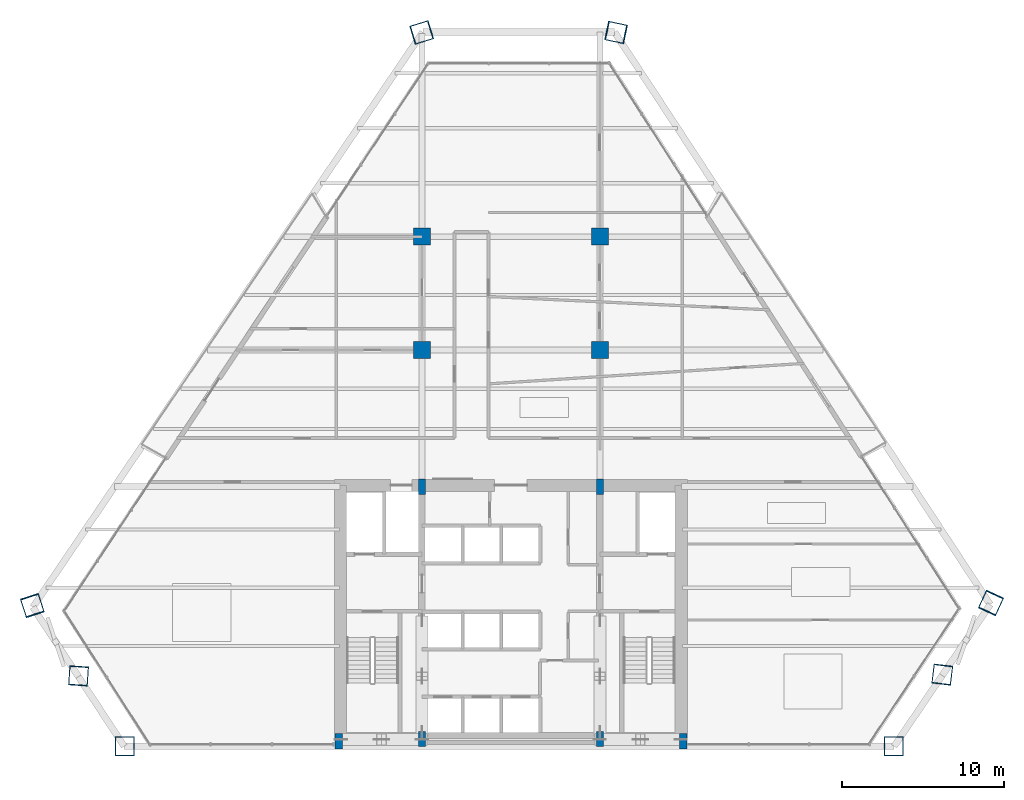
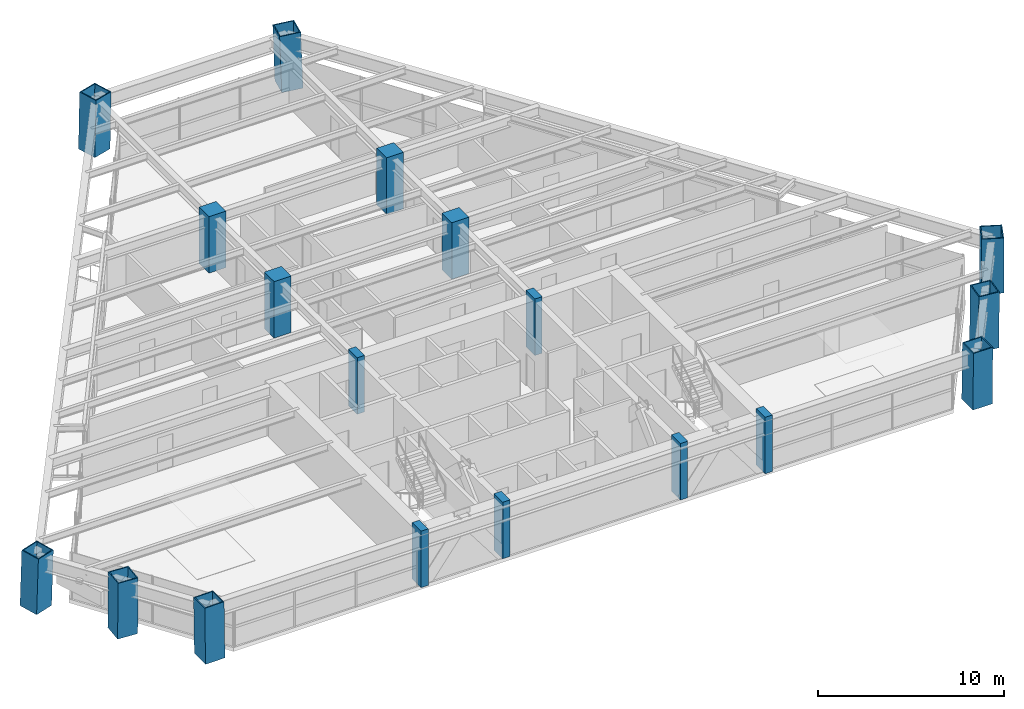
# One storey, part 1 of 14: 18 columns.
"""IFC4 building model written with IfcOpenShell, lengths in metres."""

from ifc_helpers import new_model, si_unit, direction, frame, origin, origin_2d, place, context, subcontext, project, spatial, rectangle, hollow_rectangle, extrude, source, transform, mapped, material, material_profile, profile_set, type_object, type_shapes, element, save


model = new_model("IFC4")

# Units and contexts
model_context = context("Model", 3, precision=1e-05, world=origin(), true_north=direction((0.0, 1.0)))
body_context = subcontext(model_context, "Body", "Model", "MODEL_VIEW")
ifc_project = project(units=[si_unit("LENGTHUNIT", "METRE"), si_unit("AREAUNIT", "SQUARE_METRE"), si_unit("VOLUMEUNIT", "CUBIC_METRE"), si_unit("PLANEANGLEUNIT", "RADIAN"), si_unit("MASSUNIT", "GRAM", prefix="KILO")], contexts=[model_context])

# Site, building, storey
site_placement = place(None, origin())
site = spatial("IfcSite", under=ifc_project, at=site_placement, CompositionType="ELEMENT")
building_placement = place(site_placement, origin())
building = spatial("IfcBuilding", under=site, at=building_placement, Name="Varnakhor Terracotta Tower", CompositionType="ELEMENT")
storey_placement = place(building_placement, frame((0.0, 0.0, 113.60009765625)))
storey = spatial("IfcBuildingStorey", under=building, at=storey_placement, Name="L28", CompositionType="ELEMENT", Elevation=113.60009765625)

# Columns
ifc_material_1 = material(Name="Concrete C50/60", Category="concrete")
ifc_material_profile_1 = material_profile(ifc_material_1, rectangle(XDim=0.449951171875, YDim=0.949951171875, at=origin_2d()), Name="RC PILASTER 950x450")
ifc_profile_set_1 = profile_set([ifc_material_profile_1], Name="Concrete C50/60")
column_type_1 = type_object("IfcColumnType", Name="COL-PIL-950x450", PredefinedType="PILASTER", material=ifc_profile_set_1)
shared_shape_1 = source(origin(), body_context, "Body", "SweptSolid", [
    extrude(rectangle(XDim=0.449951171875, YDim=0.949951171875, at=origin_2d()), origin(), (0.0, 0.0, 1.0), 3.699951171875),
])
for number, where, z_axis, x_axis, name in (
    (1, (-10.64990234375, 0.300048828125, 0.0), (0.0, 0.0, 1.0), (1.0, 0.0, 0.0), "L28 Core Pilaster CP1"),
    (2, (-5.5, 0.449951171875, 0.0), (0.0, 0.0, 1.0), (1.0, 0.0, 0.0), "L28 Core Pilaster CP2"),
    (3, (5.5, 0.449951171875, 0.0), (0.0, 0.0, 1.0), (1.0, 0.0, 0.0), "L28 Core Pilaster CP3"),
    (4, (10.64990234375, 0.300048828125, 0.0), (0.0, 0.0, 1.0), (1.0, 0.0, 0.0), "L28 Core Pilaster CP4"),
    (5, (-5.5, 16.050048828125, 0.0), (0.0, 0.0, 1.0), (1.0, 0.0, 0.0), "L28 Core Pilaster CP5"),
    (6, (5.5, 16.050048828125, 0.0), (0.0, 0.0, 1.0), (1.0, 0.0, 0.0), "L28 Core Pilaster CP6"),
):
    element("IfcColumn", number, at=place(storey_placement, frame(where, z_axis=z_axis, x_axis=x_axis)), inside=storey, type_object=column_type_1, Name=name, PredefinedType="PILASTER", context=body_context, shape_type="MappedRepresentation", body=[
        mapped(shared_shape_1, transform((0.0, 0.0, 0.0), scale=1.0)),
    ])
ifc_material_2 = material(Name="Concrete C60/75", Category="concrete")
ifc_material_profile_2 = material_profile(ifc_material_2, rectangle(XDim=1.050048828125, YDim=1.050048828125, at=origin_2d()), Name="RC 1050x1050")
ifc_profile_set_2 = profile_set([ifc_material_profile_2], Name="Concrete C60/75")
column_type_2 = type_object("IfcColumnType", Name="COL-RC-1050", PredefinedType="COLUMN", material=ifc_profile_set_2)
shared_shape_2 = source(origin(), body_context, "Body", "SweptSolid", [
    extrude(rectangle(XDim=1.050048828125, YDim=1.050048828125, at=origin_2d()), origin(), (0.0, 0.0, 1.0), 3.699951171875),
])
for number, where, z_axis, x_axis, name in (
    (7, (-5.5, 24.5, 0.0), (0.0, 0.0, 1.0), (1.0, 0.0, 0.0), "L28 Interior Tower Column IC1"),
    (8, (5.5, 24.5, 0.0), (0.0, 0.0, 1.0), (1.0, 0.0, 0.0), "L28 Interior Tower Column IC2"),
    (9, (-5.5, 31.5, 0.0), (0.0, 0.0, 1.0), (1.0, 0.0, 0.0), "L28 Interior Tower Column IC3"),
    (10, (5.5, 31.5, 0.0), (0.0, 0.0, 1.0), (1.0, 0.0, 0.0), "L28 Interior Tower Column IC4"),
):
    element("IfcColumn", number, at=place(storey_placement, frame(where, z_axis=z_axis, x_axis=x_axis)), inside=storey, type_object=column_type_2, Name=name, PredefinedType="COLUMN", context=body_context, shape_type="MappedRepresentation", body=[
        mapped(shared_shape_2, transform((0.0, 0.0, 0.0), scale=1.0)),
    ])
ifc_material_3 = material(Name="Steel S460", Category="steel")
ifc_material_profile_3 = material_profile(ifc_material_3, hollow_rectangle(XDim=1.199951171875, YDim=1.199951171875, WallThickness=0.06005859375, at=origin_2d()), Name="BOX 1200x1200x60")
ifc_profile_set_3 = profile_set([ifc_material_profile_3], Name="Steel S460")
column_type_3 = type_object("IfcColumnType", Name="COL-MEGA-1200", PredefinedType="COLUMN", material=ifc_profile_set_3)
shared_shape_3 = source(origin(), body_context, "Body", "SweptSolid", [
    extrude(hollow_rectangle(XDim=1.199951171875, YDim=1.199951171875, WallThickness=0.06005859375, at=origin_2d()), origin(), (0.0, 0.0, 1.0), 3.691650390625),
])
type_shapes(column_type_3, [shared_shape_3])
for number, where, z_axis, x_axis, name in (
    (11, (26.666259765625, 4.43798828125, 0.00439453125), (-0.001917877129, -0.015673685498, 0.999875320893), (0.992596696584, -0.121456979751, 0.0), "L28 Perimeter Mega-Column M3"),
    (12, (-26.725341796875, 4.359375, 0.00439453125), (-0.00112425736, -0.016599329254, 0.999861589578), (0.997714246569, -0.06757427168, 0.0), "L28 Perimeter Mega-Column M8"),
):
    element("IfcColumn", number, at=place(storey_placement, frame(where, z_axis=z_axis, x_axis=x_axis)), inside=storey, type_object=column_type_3, Name=name, PredefinedType="COLUMN", context=body_context, shape_type="MappedRepresentation", body=[
        mapped(shared_shape_3, transform((0.0, 0.0, 0.0), scale=1.0)),
    ])
shared_shape_4 = source(origin(), body_context, "Body", "SweptSolid", [
    extrude(hollow_rectangle(XDim=1.199951171875, YDim=1.199951171875, WallThickness=0.06005859375, at=origin_2d()), origin(), (0.0, 0.0, 1.0), 3.69140625),
])
for number, where, z_axis, x_axis, name in (
    (13, (-23.860107421875, 0.0, 0.00439453125), (-0.012962731142, 0.0, 0.999915980271), (0.0, -1.0, 0.0), "L28 Perimeter Mega-Column M1"),
    (14, (23.64990234375, 0.0, 0.00439453125), (0.010648248709, 0.0, 0.999943305793), (0.0, 1.0, 0.0), "L28 Perimeter Mega-Column M2"),
):
    element("IfcColumn", number, at=place(storey_placement, frame(where, z_axis=z_axis, x_axis=x_axis)), inside=storey, type_object=column_type_3, Name=name, PredefinedType="COLUMN", context=body_context, shape_type="MappedRepresentation", body=[
        mapped(shared_shape_4, transform((0.0, 0.0, 0.0), scale=1.0)),
    ])
shared_shape_5 = source(origin(), body_context, "Body", "SweptSolid", [
    extrude(hollow_rectangle(XDim=1.199951171875, YDim=1.199951171875, WallThickness=0.06005859375, at=origin_2d()), origin(), (0.0, 0.0, 1.0), 3.693359375),
])
for number, where, z_axis, x_axis, name in (
    (15, (29.6826171875, 8.876220703125, 0.00439453125), (-0.014542512815, -0.031398607215, 0.999401142078), (0.907399459866, -0.420269223517, 0.0), "L28 Perimeter Mega-Column M4"),
    (16, (-29.59033203125, 8.71875, 0.00439453125), (0.010708502285, -0.033117034846, 0.99939411144), (0.95149358495, 0.307668584355, 0.0), "L28 Perimeter Mega-Column M7"),
):
    element("IfcColumn", number, at=place(storey_placement, frame(where, z_axis=z_axis, x_axis=x_axis)), inside=storey, type_object=column_type_3, Name=name, PredefinedType="COLUMN", context=body_context, shape_type="MappedRepresentation", body=[
        mapped(shared_shape_5, transform((0.0, 0.0, 0.0), scale=1.0)),
    ])
shared_shape_6 = source(origin(), body_context, "Body", "SweptSolid", [
    extrude(hollow_rectangle(XDim=1.199951171875, YDim=1.199951171875, WallThickness=0.06005859375, at=origin_2d()), origin(), (0.0, 0.0, 1.0), 3.693115234375),
])
column_1_placement = place(storey_placement, frame((6.5205078125, 44.118408203125, 0.00439453125), z_axis=(-0.032127657907, 0.006742841783, 0.999461028596), x_axis=(-0.205401511732, -0.978677791195, 0.0)))
element("IfcColumn", 17, at=column_1_placement, inside=storey, type_object=column_type_3, Name="L28 Perimeter Mega-Column M5", PredefinedType="COLUMN", context=body_context, shape_type="MappedRepresentation", body=[
    mapped(shared_shape_6, transform((0.0, 0.0, 0.0), scale=1.0)),
])
shared_shape_7 = source(origin(), body_context, "Body", "SweptSolid", [
    extrude(hollow_rectangle(XDim=1.199951171875, YDim=1.199951171875, WallThickness=0.06005859375, at=origin_2d()), origin(), (0.0, 0.0, 1.0), 3.692138671875),
])
column_2_placement = place(storey_placement, frame((-5.530517578125, 44.118408203125, 0.00439453125), z_axis=(0.021953332459, 0.006744698527, 0.999736245335), x_axis=(-0.293681174334, 0.955903430186, 0.0)))
element("IfcColumn", 18, at=column_2_placement, inside=storey, type_object=column_type_3, Name="L28 Perimeter Mega-Column M6", PredefinedType="COLUMN", context=body_context, shape_type="MappedRepresentation", body=[
    mapped(shared_shape_7, transform((0.0, 0.0, 0.0), scale=1.0)),
])

save(model, "model.ifc")
